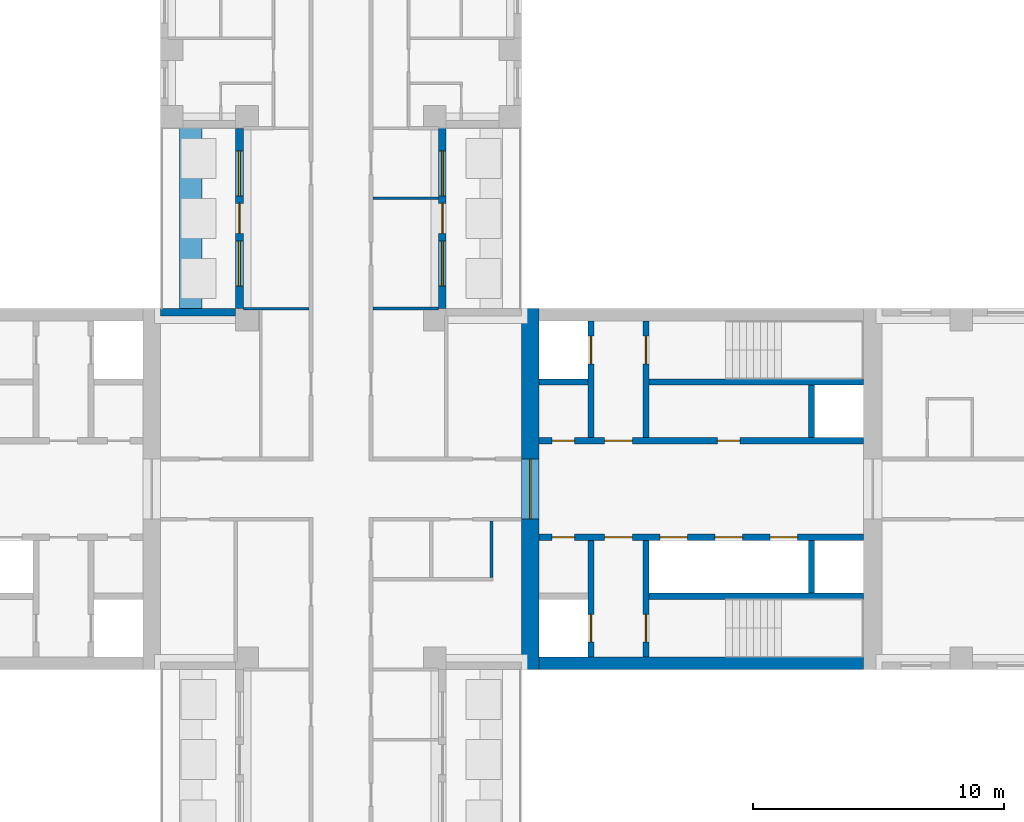
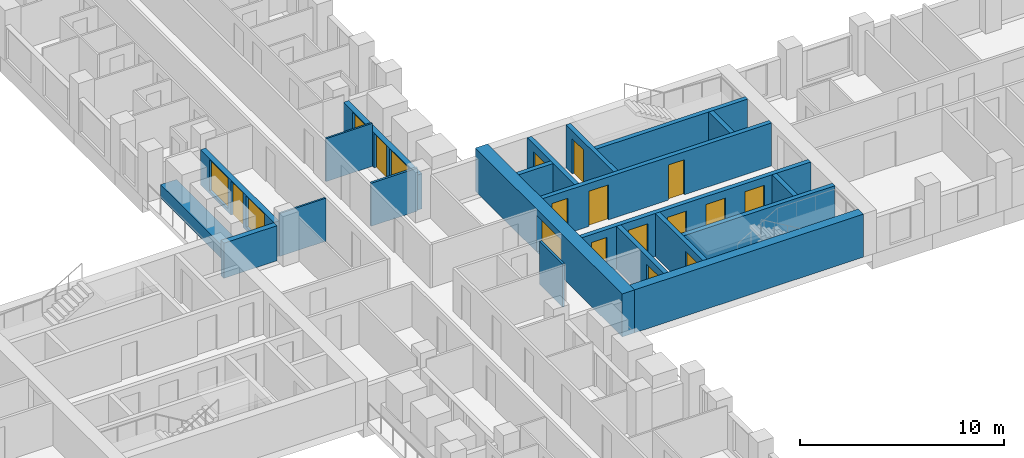
# One storey, part 8 of 15: 21 walls, 15 doors, 4 windows, 19 openings.
"""IFC4 building model written with IfcOpenShell, lengths in metres."""

from ifc_helpers import new_model, si_unit, direction, frame, frame_2d, origin, place, context, subcontext, project, spatial, rectangle, extrude, material, layer, layer_set, type_object, element, fill, save


model = new_model("IFC4")

# Units and contexts
model_context = context("Model", 3, precision=1e-05, world=origin(), true_north=direction((0.0, 1.0)))
body_context = subcontext(model_context, "Body", "Model", "MODEL_VIEW")
ifc_project = project(units=[si_unit("LENGTHUNIT", "METRE"), si_unit("AREAUNIT", "SQUARE_METRE"), si_unit("VOLUMEUNIT", "CUBIC_METRE"), si_unit("PLANEANGLEUNIT", "RADIAN"), si_unit("MASSUNIT", "GRAM", prefix="KILO")], contexts=[model_context])

# Site, building, storey
site_placement = place(None, origin())
site = spatial("IfcSite", under=ifc_project, at=site_placement, CompositionType="ELEMENT")
building_placement = place(site_placement, origin())
building = spatial("IfcBuilding", under=site, at=building_placement, Name="Fustian Cross Tower", CompositionType="ELEMENT")
storey_placement = place(building_placement, frame((0.0, 0.0, 17.699951171875)))
storey = spatial("IfcBuildingStorey", under=building, at=storey_placement, Name="L04", CompositionType="ELEMENT", Elevation=17.699951171875)

# Wall, opening, door
ifc_material_1 = material(Name="Concrete C80/95", Category="concrete")
ifc_layer_1 = layer(ifc_material_1, 0.699951171875)
ifc_layer_set_1 = layer_set([ifc_layer_1], Name="Concrete C80/95")
wall_type_1 = type_object("IfcWallType", Name="CORE END WALL 700 C80/95", PredefinedType="SHEAR", material=ifc_layer_set_1)
wall_1_placement = place(storey_placement, frame((7.550048828125, -7.199951171875, 0.0), z_axis=(0.0, 0.0, 1.0), x_axis=(0.0, 1.0, 0.0)))
wall_1 = element("IfcWall", 1, at=wall_1_placement, inside=storey, type_object=wall_type_1, Name="Core end wall", PredefinedType="SHEAR", context=body_context, shape_type="SweptSolid", body=[
    extrude(rectangle(XDim=14.39990234375, YDim=0.699951171875, at=frame_2d((7.199951171875, 0.0))), origin(), (0.0, 0.0, 1.0), 2.574951171875),
])
opening_1_placement = place(wall_1_placement, frame((6.0, 0.0, 0.0)))
opening_1 = element("IfcOpeningElement", 2, at=opening_1_placement, cuts=wall_1, Name="Opening CD-04-12", PredefinedType="OPENING", context=body_context, shape_type="SweptSolid", body=[
    extrude(rectangle(XDim=2.39990234375, YDim=2.199951171875, at=frame_2d((1.199951171875, 1.10009765625))), frame((0.0, 0.35986328125, 0.0), z_axis=(0.0, -1.0, 0.0), x_axis=(1.0, 0.0, 0.0)), (0.0, 0.0, 1.0), 0.719970703125),
])
ifc_material_2 = material(Name="Steel", Category="steel")
door_type_1 = type_object("IfcDoorType", Name="FIRE DOOR FD30S DOUBLE 2400X2200", OperationType="DOUBLE_DOOR_DOUBLE_SWING", PredefinedType="DOOR", material=ifc_material_2)
door_1_placement = place(opening_1_placement, frame((2.39990234375, 0.0, 0.0), z_axis=(0.0, 0.0, 1.0), x_axis=(-1.0, 0.0, 0.0)))
door_1 = element("IfcDoor", 3, at=door_1_placement, inside=storey, type_object=door_type_1, Name="Core door CD-04-12", OperationType="DOUBLE_DOOR_DOUBLE_SWING", OverallHeight=2.199951171875, OverallWidth=2.39990234375, PredefinedType="DOOR", context=body_context, shape_type="SweptSolid", body=[
    extrude(rectangle(XDim=2.39990234375, YDim=2.199951171875, at=frame_2d((1.199951171875, 1.10009765625))), frame((0.0, 0.02490234375, 0.0), z_axis=(0.0, -1.0, 0.0), x_axis=(1.0, 0.0, 0.0)), (0.0, 0.0, 1.0), 0.050048828125),
])
fill(opening_1, door_1)

# Wall
ifc_material_3 = material(Name="Concrete C80/95", Category="concrete")
ifc_layer_2 = layer(ifc_material_3, 0.5)
ifc_layer_set_2 = layer_set([ifc_layer_2], Name="Concrete C80/95")
wall_type_2 = type_object("IfcWallType", Name="CORE FACADE WALL 500 C80/95", PredefinedType="SHEAR", material=ifc_layer_set_2)
wall_2_placement = place(storey_placement, frame((7.89990234375, -6.949951171875, 0.0), z_axis=(0.0, 0.0, 1.0), x_axis=(1.0, 0.0, 0.0)))
element("IfcWall", 4, at=wall_2_placement, inside=storey, type_object=wall_type_2, Name="Core facade wall", PredefinedType="SHEAR", context=body_context, shape_type="SweptSolid", body=[
    extrude(rectangle(XDim=12.9501953125, YDim=0.5, at=frame_2d((6.47509765625, 0.0))), origin(), (0.0, 0.0, 1.0), 2.574951171875),
])

# Wall, openings, doors
ifc_material_4 = material(Name="Concrete C50/60", Category="concrete")
ifc_layer_3 = layer(ifc_material_4, 0.25)
ifc_layer_set_3 = layer_set([ifc_layer_3], Name="Concrete C50/60")
wall_type_3 = type_object("IfcWallType", Name="CORE LOBBY WALL 250 C50/60", PredefinedType="SHEAR", material=ifc_layer_set_3)
wall_3_placement = place(storey_placement, frame((7.89990234375, 1.925048828125, 0.0), z_axis=(0.0, 0.0, 1.0), x_axis=(1.0, 0.0, 0.0)))
wall_3 = element("IfcWall", 5, at=wall_3_placement, inside=storey, type_object=wall_type_3, Name="Core lobby wall", PredefinedType="SHEAR", context=body_context, shape_type="SweptSolid", body=[
    extrude(rectangle(XDim=12.9501953125, YDim=0.25, at=frame_2d((6.47509765625, 0.0))), origin(), (0.0, 0.0, 1.0), 2.574951171875),
])
opening_2_placement = place(wall_3_placement, frame((0.52490234375, 0.0, 0.0)))
opening_2 = element("IfcOpeningElement", 6, at=opening_2_placement, cuts=wall_3, Name="Opening CD-04-08", PredefinedType="OPENING", context=body_context, shape_type="SweptSolid", body=[
    extrude(rectangle(XDim=0.89990234375, YDim=2.10009765625, at=frame_2d((0.449951171875, 1.050048828125))), frame((0.0, 0.135009765625, 0.0), z_axis=(0.0, -1.0, 0.0), x_axis=(1.0, 0.0, 0.0)), (0.0, 0.0, 1.0), 0.27001953125),
])
opening_3_placement = place(wall_3_placement, frame((2.625, 0.0, 0.0)))
opening_3 = element("IfcOpeningElement", 7, at=opening_3_placement, cuts=wall_3, Name="Opening CD-04-10", PredefinedType="OPENING", context=body_context, shape_type="SweptSolid", body=[
    extrude(rectangle(XDim=1.10009765625, YDim=2.10009765625, at=frame_2d((0.550048828125, 1.050048828125))), frame((0.0, 0.135009765625, 0.0), z_axis=(0.0, -1.0, 0.0), x_axis=(1.0, 0.0, 0.0)), (0.0, 0.0, 1.0), 0.27001953125),
])
opening_4_placement = place(wall_3_placement, frame((7.125, 0.0, 0.0)))
opening_4 = element("IfcOpeningElement", 8, at=opening_4_placement, cuts=wall_3, Name="Opening CD-04-14", PredefinedType="OPENING", context=body_context, shape_type="SweptSolid", body=[
    extrude(rectangle(XDim=0.89990234375, YDim=2.10009765625, at=frame_2d((0.449951171875, 1.050048828125))), frame((0.0, 0.135009765625, 0.0), z_axis=(0.0, -1.0, 0.0), x_axis=(1.0, 0.0, 0.0)), (0.0, 0.0, 1.0), 0.27001953125),
])
ifc_material_5 = material(Name="Steel", Category="steel")
door_type_2 = type_object("IfcDoorType", Name="FIRE DOOR FD30S 900X2100", OperationType="SINGLE_SWING_LEFT", PredefinedType="DOOR", material=ifc_material_5)
door_2_placement = place(opening_4_placement, origin())
door_2 = element("IfcDoor", 9, at=door_2_placement, inside=storey, type_object=door_type_2, Name="Core door CD-04-14", OperationType="SINGLE_SWING_LEFT", OverallHeight=2.10009765625, OverallWidth=0.89990234375, PredefinedType="DOOR", context=body_context, shape_type="SweptSolid", body=[
    extrude(rectangle(XDim=0.89990234375, YDim=2.10009765625, at=frame_2d((0.449951171875, 1.050048828125))), frame((0.0, 0.02490234375, 0.0), z_axis=(0.0, -1.0, 0.0), x_axis=(1.0, 0.0, 0.0)), (0.0, 0.0, 1.0), 0.050048828125),
])
fill(opening_4, door_2)
ifc_material_6 = material(Name="Steel", Category="steel")
door_type_3 = type_object("IfcDoorType", Name="FIRE DOOR FD60S 1100X2100", OperationType="SINGLE_SWING_LEFT", PredefinedType="DOOR", material=ifc_material_6)
door_3_placement = place(opening_3_placement, frame((1.10009765625, 0.0, 0.0), z_axis=(0.0, 0.0, 1.0), x_axis=(-1.0, 0.0, 0.0)))
door_3 = element("IfcDoor", 10, at=door_3_placement, inside=storey, type_object=door_type_3, Name="Core door CD-04-10", OperationType="SINGLE_SWING_RIGHT", OverallHeight=2.10009765625, OverallWidth=1.10009765625, PredefinedType="DOOR", context=body_context, shape_type="SweptSolid", body=[
    extrude(rectangle(XDim=1.10009765625, YDim=2.10009765625, at=frame_2d((0.550048828125, 1.050048828125))), frame((0.0, 0.02490234375, 0.0), z_axis=(0.0, -1.0, 0.0), x_axis=(1.0, 0.0, 0.0)), (0.0, 0.0, 1.0), 0.050048828125),
])
fill(opening_3, door_3)
ifc_material_7 = material(Name="Steel", Category="steel")
door_type_4 = type_object("IfcDoorType", Name="FIRE DOOR FD60S 900X2100", OperationType="SINGLE_SWING_LEFT", PredefinedType="DOOR", material=ifc_material_7)
door_4_placement = place(opening_2_placement, origin())
door_4 = element("IfcDoor", 11, at=door_4_placement, inside=storey, type_object=door_type_4, Name="Core door CD-04-08", OperationType="SINGLE_SWING_LEFT", OverallHeight=2.10009765625, OverallWidth=0.89990234375, PredefinedType="DOOR", context=body_context, shape_type="SweptSolid", body=[
    extrude(rectangle(XDim=0.89990234375, YDim=2.10009765625, at=frame_2d((0.449951171875, 1.050048828125))), frame((0.0, 0.02490234375, 0.0), z_axis=(0.0, -1.0, 0.0), x_axis=(1.0, 0.0, 0.0)), (0.0, 0.0, 1.0), 0.050048828125),
])
fill(opening_2, door_4)

wall_4_placement = place(storey_placement, frame((7.89990234375, -1.925048828125, 0.0), z_axis=(0.0, 0.0, 1.0), x_axis=(1.0, 0.0, 0.0)))
wall_4 = element("IfcWall", 12, at=wall_4_placement, inside=storey, type_object=wall_type_3, Name="Core lobby wall", PredefinedType="SHEAR", context=body_context, shape_type="SweptSolid", body=[
    extrude(rectangle(XDim=12.9501953125, YDim=0.25, at=frame_2d((6.47509765625, 0.0))), origin(), (0.0, 0.0, 1.0), 2.574951171875),
])
opening_5_placement = place(wall_4_placement, frame((4.824951171875, 0.0, 0.0)))
opening_5 = element("IfcOpeningElement", 13, at=opening_5_placement, cuts=wall_4, Name="Opening LD", PredefinedType="OPENING", context=body_context, shape_type="SweptSolid", body=[
    extrude(rectangle(XDim=1.10009765625, YDim=2.10009765625, at=frame_2d((0.550048828125, 1.050048828125))), frame((0.0, 0.135009765625, 0.0), z_axis=(0.0, -1.0, 0.0), x_axis=(1.0, 0.0, 0.0)), (0.0, 0.0, 1.0), 0.27001953125),
])
opening_6_placement = place(wall_4_placement, frame((7.02490234375, 0.0, 0.0)))
opening_6 = element("IfcOpeningElement", 14, at=opening_6_placement, cuts=wall_4, Name="Opening LD", PredefinedType="OPENING", context=body_context, shape_type="SweptSolid", body=[
    extrude(rectangle(XDim=1.10009765625, YDim=2.10009765625, at=frame_2d((0.550048828125, 1.050048828125))), frame((0.0, 0.135009765625, 0.0), z_axis=(0.0, -1.0, 0.0), x_axis=(1.0, 0.0, 0.0)), (0.0, 0.0, 1.0), 0.27001953125),
])
opening_7_placement = place(wall_4_placement, frame((9.22509765625, 0.0, 0.0)))
opening_7 = element("IfcOpeningElement", 15, at=opening_7_placement, cuts=wall_4, Name="Opening LD", PredefinedType="OPENING", context=body_context, shape_type="SweptSolid", body=[
    extrude(rectangle(XDim=1.10009765625, YDim=2.10009765625, at=frame_2d((0.550048828125, 1.050048828125))), frame((0.0, 0.135009765625, 0.0), z_axis=(0.0, -1.0, 0.0), x_axis=(1.0, 0.0, 0.0)), (0.0, 0.0, 1.0), 0.27001953125),
])
opening_8_placement = place(wall_4_placement, frame((0.52490234375, 0.0, 0.0)))
opening_8 = element("IfcOpeningElement", 16, at=opening_8_placement, cuts=wall_4, Name="Opening CD-04-09", PredefinedType="OPENING", context=body_context, shape_type="SweptSolid", body=[
    extrude(rectangle(XDim=0.89990234375, YDim=2.10009765625, at=frame_2d((0.449951171875, 1.050048828125))), frame((0.0, 0.135009765625, 0.0), z_axis=(0.0, -1.0, 0.0), x_axis=(1.0, 0.0, 0.0)), (0.0, 0.0, 1.0), 0.27001953125),
])
opening_9_placement = place(wall_4_placement, frame((2.625, 0.0, 0.0)))
opening_9 = element("IfcOpeningElement", 17, at=opening_9_placement, cuts=wall_4, Name="Opening CD-04-11", PredefinedType="OPENING", context=body_context, shape_type="SweptSolid", body=[
    extrude(rectangle(XDim=1.10009765625, YDim=2.10009765625, at=frame_2d((0.550048828125, 1.050048828125))), frame((0.0, 0.135009765625, 0.0), z_axis=(0.0, -1.0, 0.0), x_axis=(1.0, 0.0, 0.0)), (0.0, 0.0, 1.0), 0.27001953125),
])
ifc_material_8 = material(Name="Steel", Category="steel")
door_type_5 = type_object("IfcDoorType", Name="FIRE DOOR FD30S 1100X2100", OperationType="SINGLE_SWING_LEFT", PredefinedType="DOOR", material=ifc_material_8)
door_5_placement = place(opening_9_placement, frame((1.10009765625, 0.0, 0.0), z_axis=(0.0, 0.0, 1.0), x_axis=(-1.0, 0.0, 0.0)))
door_5 = element("IfcDoor", 18, at=door_5_placement, inside=storey, type_object=door_type_5, Name="Core door CD-04-11", OperationType="SINGLE_SWING_RIGHT", OverallHeight=2.10009765625, OverallWidth=1.10009765625, PredefinedType="DOOR", context=body_context, shape_type="SweptSolid", body=[
    extrude(rectangle(XDim=1.10009765625, YDim=2.10009765625, at=frame_2d((0.550048828125, 1.050048828125))), frame((0.0, 0.02490234375, 0.0), z_axis=(0.0, -1.0, 0.0), x_axis=(1.0, 0.0, 0.0)), (0.0, 0.0, 1.0), 0.050048828125),
])
fill(opening_9, door_5)
door_6_placement = place(opening_8_placement, frame((0.89990234375, 0.0, 0.0), z_axis=(0.0, 0.0, 1.0), x_axis=(-1.0, 0.0, 0.0)))
door_6 = element("IfcDoor", 19, at=door_6_placement, inside=storey, type_object=door_type_2, Name="Core door CD-04-09", OperationType="SINGLE_SWING_RIGHT", OverallHeight=2.10009765625, OverallWidth=0.89990234375, PredefinedType="DOOR", context=body_context, shape_type="SweptSolid", body=[
    extrude(rectangle(XDim=0.89990234375, YDim=2.10009765625, at=frame_2d((0.449951171875, 1.050048828125))), frame((0.0, 0.02490234375, 0.0), z_axis=(0.0, -1.0, 0.0), x_axis=(1.0, 0.0, 0.0)), (0.0, 0.0, 1.0), 0.050048828125),
])
fill(opening_8, door_6)
ifc_material_9 = material(Name="Stainless steel", Category="steel")
door_type_6 = type_object("IfcDoorType", Name="LIFT LANDING DOOR 1100X2100", OperationType="SLIDING_TO_LEFT", PredefinedType="DOOR", material=ifc_material_9)
door_7_placement = place(opening_5_placement, origin())
door_7 = element("IfcDoor", 20, at=door_7_placement, inside=storey, type_object=door_type_6, Name="Landing door LR1", OperationType="SLIDING_TO_LEFT", OverallHeight=2.10009765625, OverallWidth=1.10009765625, PredefinedType="DOOR", context=body_context, shape_type="SweptSolid", body=[
    extrude(rectangle(XDim=1.10009765625, YDim=2.10009765625, at=frame_2d((0.550048828125, 1.050048828125))), frame((0.0, 0.02490234375, 0.0), z_axis=(0.0, -1.0, 0.0), x_axis=(1.0, 0.0, 0.0)), (0.0, 0.0, 1.0), 0.050048828125),
])
fill(opening_5, door_7)
door_8_placement = place(opening_6_placement, origin())
door_8 = element("IfcDoor", 21, at=door_8_placement, inside=storey, type_object=door_type_6, Name="Landing door LR2", OperationType="SLIDING_TO_LEFT", OverallHeight=2.10009765625, OverallWidth=1.10009765625, PredefinedType="DOOR", context=body_context, shape_type="SweptSolid", body=[
    extrude(rectangle(XDim=1.10009765625, YDim=2.10009765625, at=frame_2d((0.550048828125, 1.050048828125))), frame((0.0, 0.02490234375, 0.0), z_axis=(0.0, -1.0, 0.0), x_axis=(1.0, 0.0, 0.0)), (0.0, 0.0, 1.0), 0.050048828125),
])
fill(opening_6, door_8)
door_9_placement = place(opening_7_placement, origin())
door_9 = element("IfcDoor", 22, at=door_9_placement, inside=storey, type_object=door_type_6, Name="Landing door LR3", OperationType="SLIDING_TO_LEFT", OverallHeight=2.10009765625, OverallWidth=1.10009765625, PredefinedType="DOOR", context=body_context, shape_type="SweptSolid", body=[
    extrude(rectangle(XDim=1.10009765625, YDim=2.10009765625, at=frame_2d((0.550048828125, 1.050048828125))), frame((0.0, 0.02490234375, 0.0), z_axis=(0.0, -1.0, 0.0), x_axis=(1.0, 0.0, 0.0)), (0.0, 0.0, 1.0), 0.050048828125),
])
fill(opening_7, door_9)

# Walls
ifc_material_10 = material(Name="Concrete C50/60", Category="concrete")
ifc_layer_4 = layer(ifc_material_10, 0.25)
ifc_layer_set_4 = layer_set([ifc_layer_4], Name="Concrete C50/60")
wall_type_4 = type_object("IfcWallType", Name="CORE SHAFT WALL 250 C50/60", PredefinedType="SHEAR", material=ifc_layer_set_4)
wall_5_placement = place(storey_placement, frame((7.89990234375, 4.27490234375, 0.0), z_axis=(0.0, 0.0, 1.0), x_axis=(1.0, 0.0, 0.0)))
element("IfcWall", 23, at=wall_5_placement, inside=storey, type_object=wall_type_4, Name="Core shaft wall", PredefinedType="SHEAR", context=body_context, shape_type="SweptSolid", body=[
    extrude(rectangle(XDim=1.9501953125, YDim=0.25, at=frame_2d((0.97509765625, 0.0))), origin(), (0.0, 0.0, 1.0), 2.574951171875),
])
wall_6_placement = place(storey_placement, frame((12.300048828125, 4.27490234375, 0.0), z_axis=(0.0, 0.0, 1.0), x_axis=(1.0, 0.0, 0.0)))
element("IfcWall", 24, at=wall_6_placement, inside=storey, type_object=wall_type_4, Name="Core shaft wall", PredefinedType="SHEAR", context=body_context, shape_type="SweptSolid", body=[
    extrude(rectangle(XDim=8.550048828125, YDim=0.25, at=frame_2d((4.27490234375, 0.0))), origin(), (0.0, 0.0, 1.0), 2.574951171875),
])

# Wall, opening, door
wall_7_placement = place(storey_placement, frame((9.97509765625, 2.050048828125, 0.0), z_axis=(0.0, 0.0, 1.0), x_axis=(0.0, 1.0, 0.0)))
wall_7 = element("IfcWall", 25, at=wall_7_placement, inside=storey, type_object=wall_type_4, Name="Core shaft wall", PredefinedType="SHEAR", context=body_context, shape_type="SweptSolid", body=[
    extrude(rectangle(XDim=4.64990234375, YDim=0.25, at=frame_2d((2.324951171875, 0.0))), origin(), (0.0, 0.0, 1.0), 2.574951171875),
])
opening_10_placement = place(wall_7_placement, frame((2.949951171875, 0.0, 0.0)))
opening_10 = element("IfcOpeningElement", 26, at=opening_10_placement, cuts=wall_7, Name="Opening LD", PredefinedType="OPENING", context=body_context, shape_type="SweptSolid", body=[
    extrude(rectangle(XDim=1.10009765625, YDim=2.10009765625, at=frame_2d((0.550048828125, 1.050048828125))), frame((0.0, 0.135009765625, 0.0), z_axis=(0.0, -1.0, 0.0), x_axis=(1.0, 0.0, 0.0)), (0.0, 0.0, 1.0), 0.27001953125),
])
door_10_placement = place(opening_10_placement, origin())
door_10 = element("IfcDoor", 27, at=door_10_placement, inside=storey, type_object=door_type_6, Name="Landing door FL1", OperationType="SLIDING_TO_LEFT", OverallHeight=2.10009765625, OverallWidth=1.10009765625, PredefinedType="DOOR", context=body_context, shape_type="SweptSolid", body=[
    extrude(rectangle(XDim=1.10009765625, YDim=2.10009765625, at=frame_2d((0.550048828125, 1.050048828125))), frame((0.0, 0.02490234375, 0.0), z_axis=(0.0, -1.0, 0.0), x_axis=(1.0, 0.0, 0.0)), (0.0, 0.0, 1.0), 0.050048828125),
])
fill(opening_10, door_10)

wall_8_placement = place(storey_placement, frame((12.175048828125, 2.050048828125, 0.0), z_axis=(0.0, 0.0, 1.0), x_axis=(0.0, 1.0, 0.0)))
wall_8 = element("IfcWall", 28, at=wall_8_placement, inside=storey, type_object=wall_type_4, Name="Core shaft wall", PredefinedType="SHEAR", context=body_context, shape_type="SweptSolid", body=[
    extrude(rectangle(XDim=4.64990234375, YDim=0.25, at=frame_2d((2.324951171875, 0.0))), origin(), (0.0, 0.0, 1.0), 2.574951171875),
])
opening_11_placement = place(wall_8_placement, frame((2.949951171875, 0.0, 0.0)))
opening_11 = element("IfcOpeningElement", 29, at=opening_11_placement, cuts=wall_8, Name="Opening CD-04-06", PredefinedType="OPENING", context=body_context, shape_type="SweptSolid", body=[
    extrude(rectangle(XDim=1.10009765625, YDim=2.10009765625, at=frame_2d((0.550048828125, 1.050048828125))), frame((0.0, 0.135009765625, 0.0), z_axis=(0.0, -1.0, 0.0), x_axis=(1.0, 0.0, 0.0)), (0.0, 0.0, 1.0), 0.27001953125),
])
door_11_placement = place(opening_11_placement, frame((1.10009765625, 0.0, 0.0), z_axis=(0.0, 0.0, 1.0), x_axis=(-1.0, 0.0, 0.0)))
door_11 = element("IfcDoor", 30, at=door_11_placement, inside=storey, type_object=door_type_3, Name="Core door CD-04-06", OperationType="SINGLE_SWING_RIGHT", OverallHeight=2.10009765625, OverallWidth=1.10009765625, PredefinedType="DOOR", context=body_context, shape_type="SweptSolid", body=[
    extrude(rectangle(XDim=1.10009765625, YDim=2.10009765625, at=frame_2d((0.550048828125, 1.050048828125))), frame((0.0, 0.02490234375, 0.0), z_axis=(0.0, -1.0, 0.0), x_axis=(1.0, 0.0, 0.0)), (0.0, 0.0, 1.0), 0.050048828125),
])
fill(opening_11, door_11)

# Wall
wall_9_placement = place(storey_placement, frame((12.300048828125, -4.27490234375, 0.0), z_axis=(0.0, 0.0, 1.0), x_axis=(1.0, 0.0, 0.0)))
element("IfcWall", 31, at=wall_9_placement, inside=storey, type_object=wall_type_4, Name="Core shaft wall", PredefinedType="SHEAR", context=body_context, shape_type="SweptSolid", body=[
    extrude(rectangle(XDim=8.550048828125, YDim=0.25, at=frame_2d((4.27490234375, 0.0))), origin(), (0.0, 0.0, 1.0), 2.574951171875),
])

# Wall, opening, door
wall_10_placement = place(storey_placement, frame((9.97509765625, -2.050048828125, 0.0), z_axis=(0.0, 0.0, 1.0), x_axis=(0.0, -1.0, 0.0)))
wall_10 = element("IfcWall", 32, at=wall_10_placement, inside=storey, type_object=wall_type_4, Name="Core shaft wall", PredefinedType="SHEAR", context=body_context, shape_type="SweptSolid", body=[
    extrude(rectangle(XDim=4.64990234375, YDim=0.25, at=frame_2d((2.324951171875, 0.0))), origin(), (0.0, 0.0, 1.0), 2.574951171875),
])
opening_12_placement = place(wall_10_placement, frame((2.949951171875, 0.0, 0.0)))
opening_12 = element("IfcOpeningElement", 33, at=opening_12_placement, cuts=wall_10, Name="Opening LD", PredefinedType="OPENING", context=body_context, shape_type="SweptSolid", body=[
    extrude(rectangle(XDim=1.10009765625, YDim=2.10009765625, at=frame_2d((0.550048828125, 1.050048828125))), frame((0.0, 0.135009765625, 0.0), z_axis=(0.0, -1.0, 0.0), x_axis=(1.0, 0.0, 0.0)), (0.0, 0.0, 1.0), 0.27001953125),
])
door_12_placement = place(opening_12_placement, origin())
door_12 = element("IfcDoor", 34, at=door_12_placement, inside=storey, type_object=door_type_6, Name="Landing door SV1", OperationType="SLIDING_TO_LEFT", OverallHeight=2.10009765625, OverallWidth=1.10009765625, PredefinedType="DOOR", context=body_context, shape_type="SweptSolid", body=[
    extrude(rectangle(XDim=1.10009765625, YDim=2.10009765625, at=frame_2d((0.550048828125, 1.050048828125))), frame((0.0, 0.02490234375, 0.0), z_axis=(0.0, -1.0, 0.0), x_axis=(1.0, 0.0, 0.0)), (0.0, 0.0, 1.0), 0.050048828125),
])
fill(opening_12, door_12)

wall_11_placement = place(storey_placement, frame((12.175048828125, -2.050048828125, 0.0), z_axis=(0.0, 0.0, 1.0), x_axis=(0.0, -1.0, 0.0)))
wall_11 = element("IfcWall", 35, at=wall_11_placement, inside=storey, type_object=wall_type_4, Name="Core shaft wall", PredefinedType="SHEAR", context=body_context, shape_type="SweptSolid", body=[
    extrude(rectangle(XDim=4.64990234375, YDim=0.25, at=frame_2d((2.324951171875, 0.0))), origin(), (0.0, 0.0, 1.0), 2.574951171875),
])
opening_13_placement = place(wall_11_placement, frame((2.949951171875, 0.0, 0.0)))
opening_13 = element("IfcOpeningElement", 36, at=opening_13_placement, cuts=wall_11, Name="Opening CD-04-07", PredefinedType="OPENING", context=body_context, shape_type="SweptSolid", body=[
    extrude(rectangle(XDim=1.10009765625, YDim=2.10009765625, at=frame_2d((0.550048828125, 1.050048828125))), frame((0.0, 0.135009765625, 0.0), z_axis=(0.0, -1.0, 0.0), x_axis=(1.0, 0.0, 0.0)), (0.0, 0.0, 1.0), 0.27001953125),
])
door_13_placement = place(opening_13_placement, origin())
door_13 = element("IfcDoor", 37, at=door_13_placement, inside=storey, type_object=door_type_3, Name="Core door CD-04-07", OperationType="SINGLE_SWING_LEFT", OverallHeight=2.10009765625, OverallWidth=1.10009765625, PredefinedType="DOOR", context=body_context, shape_type="SweptSolid", body=[
    extrude(rectangle(XDim=1.10009765625, YDim=2.10009765625, at=frame_2d((0.550048828125, 1.050048828125))), frame((0.0, 0.02490234375, 0.0), z_axis=(0.0, -1.0, 0.0), x_axis=(1.0, 0.0, 0.0)), (0.0, 0.0, 1.0), 0.050048828125),
])
fill(opening_13, door_13)

# Walls
ifc_material_11 = material(Name="Plasterboard on steel stud", Category="steel")
ifc_layer_5 = layer(ifc_material_11, 0.10009765625)
ifc_layer_set_5 = layer_set([ifc_layer_5], Name="Plasterboard on steel stud")
wall_type_5 = type_object("IfcWallType", Name="PARTITION 100 STUD", PredefinedType="PARTITIONING", material=ifc_layer_set_5)
for number, where, z_axis, x_axis, name in (
    (38, (-3.89990234375, 7.199951171875, 0.0), (0.0, 0.0, 1.0), (1.0, 0.0, 0.0), "Partition 47"),
    (39, (1.27490234375, 11.60009765625, 0.0), (0.0, 0.0, 1.0), (1.0, 0.0, 0.0), "Partition 67"),
):
    element("IfcWall", number, at=place(storey_placement, frame(where, z_axis=z_axis, x_axis=x_axis)), inside=storey, type_object=wall_type_5, Name=name, PredefinedType="PARTITIONING", context=body_context, shape_type="SweptSolid", body=[
        extrude(rectangle(XDim=2.625, YDim=0.10009765625, at=frame_2d((1.3125, 0.0))), origin(), (0.0, 0.0, 1.0), 2.574951171875),
    ])
ifc_material_12 = material(Name="Concrete C40/50", Category="concrete")
ifc_layer_6 = layer(ifc_material_12, 0.89990234375)
ifc_layer_set_6 = layer_set([ifc_layer_6], Name="Concrete C40/50")
wall_type_6 = type_object("IfcWallType", Name="PK1 PLANTER 900", PredefinedType="PARAPET", material=ifc_layer_set_6)
wall_12_placement = place(storey_placement, frame((-6.0, 7.199951171875, 0.0), z_axis=(0.0, 0.0, 1.0), x_axis=(0.0, 1.0, 0.0)))
element("IfcWall", 40, at=wall_12_placement, inside=storey, type_object=wall_type_6, Name="PLANTER", PredefinedType="PARAPET", context=body_context, shape_type="SweptSolid", body=[
    extrude(rectangle(XDim=7.199951171875, YDim=0.89990234375, at=frame_2d((3.60009765625, 0.0))), origin(), (0.0, 0.0, 1.0), 0.800048828125),
])
ifc_material_13 = material(Name="Concrete C40/50", Category="concrete")
ifc_layer_7 = layer(ifc_material_13, 0.25)
ifc_layer_set_7 = layer_set([ifc_layer_7], Name="Concrete C40/50")
wall_type_7 = type_object("IfcWallType", Name="SHAFT PARTITION WALL 250 C40/50", PredefinedType="PARTITIONING", material=ifc_layer_set_7)
for number, where, z_axis, x_axis, name in (
    (41, (18.77490234375, 2.050048828125, 0.0), (0.0, 0.0, 1.0), (0.0, 1.0, 0.0), "Core shaft wall"),
    (42, (18.77490234375, -2.050048828125, 0.0), (0.0, 0.0, 1.0), (0.0, -1.0, 0.0), "Core shaft wall"),
):
    element("IfcWall", number, at=place(storey_placement, frame(where, z_axis=z_axis, x_axis=x_axis)), inside=storey, type_object=wall_type_7, Name=name, PredefinedType="PARTITIONING", context=body_context, shape_type="SweptSolid", body=[
        extrude(rectangle(XDim=2.099853515625, YDim=0.25, at=frame_2d((1.0498046875, 0.0))), origin(), (0.0, 0.0, 1.0), 2.574951171875),
    ])
ifc_material_14 = material(Name="Plasterboard on steel stud", Category="steel")
ifc_layer_8 = layer(ifc_material_14, 0.125)
ifc_layer_set_8 = layer_set([ifc_layer_8], Name="Plasterboard on steel stud")
wall_type_8 = type_object("IfcWallType", Name="WET WALL 125 STUD", PredefinedType="PARTITIONING", material=ifc_layer_set_8)
wall_13_placement = place(storey_placement, frame((1.27490234375, 7.199951171875, 0.0), z_axis=(0.0, 0.0, 1.0), x_axis=(1.0, 0.0, 0.0)))
element("IfcWall", 43, at=wall_13_placement, inside=storey, type_object=wall_type_8, Name="Partition 66", PredefinedType="PARTITIONING", context=body_context, shape_type="SweptSolid", body=[
    extrude(rectangle(XDim=2.625, YDim=0.125, at=frame_2d((1.3125, 0.0))), origin(), (0.0, 0.0, 1.0), 2.574951171875),
])
wall_14_placement = place(storey_placement, frame((6.0, -3.53759765625, 0.0), z_axis=(0.0, 0.0, 1.0), x_axis=(0.0, 1.0, 0.0)))
element("IfcWall", 44, at=wall_14_placement, inside=storey, type_object=wall_type_8, Name="Partition 98", PredefinedType="PARTITIONING", context=body_context, shape_type="SweptSolid", body=[
    extrude(rectangle(XDim=2.2626953125, YDim=0.125, at=frame_2d((1.13134765625, 0.0))), origin(), (0.0, 0.0, 1.0), 2.574951171875),
])

# Wall, openings, door, windows
ifc_material_15 = material(Name="Dark aluminium cladding on insulated backing wall", Category="aluminium")
ifc_layer_9 = layer(ifc_material_15, 0.300048828125)
ifc_layer_set_9 = layer_set([ifc_layer_9], Name="Dark aluminium cladding on insulated backing wall")
wall_type_9 = type_object("IfcWallType", Name="XW1 EXTERNAL WALL 300", PredefinedType="SOLIDWALL", material=ifc_layer_set_9)
wall_15_placement = place(storey_placement, frame((4.050048828125, 7.199951171875, 0.0), z_axis=(0.0, 0.0, 1.0), x_axis=(0.0, 1.0, 0.0)))
wall_15 = element("IfcWall", 45, at=wall_15_placement, inside=storey, type_object=wall_type_9, Name="External wall", PredefinedType="SOLIDWALL", context=body_context, shape_type="SweptSolid", body=[
    extrude(rectangle(XDim=7.199951171875, YDim=0.300048828125, at=frame_2d((3.60009765625, 0.0))), origin(), (0.0, 0.0, 1.0), 2.10009765625),
])
opening_14_placement = place(wall_15_placement, frame((3.0, 0.0, 0.0)))
opening_14 = element("IfcOpeningElement", 46, at=opening_14_placement, cuts=wall_15, Name="Opening XD1", PredefinedType="OPENING", context=body_context, shape_type="SweptSolid", body=[
    extrude(rectangle(XDim=1.199951171875, YDim=2.050048828125, at=frame_2d((0.60009765625, 1.02490234375))), frame((0.0, 0.159912109375, 0.0), z_axis=(0.0, -1.0, 0.0), x_axis=(1.0, 0.0, 0.0)), (0.0, 0.0, 1.0), 0.320068359375),
])
opening_15_placement = place(wall_15_placement, frame((0.89990234375, 0.0, 0.199951171875)))
opening_15 = element("IfcOpeningElement", 47, at=opening_15_placement, cuts=wall_15, Name="Opening WN2", PredefinedType="OPENING", context=body_context, shape_type="SweptSolid", body=[
    extrude(rectangle(XDim=1.800048828125, YDim=1.85009765625, at=frame_2d((0.89990234375, 0.925048828125))), frame((0.0, 0.159912109375, 0.0), z_axis=(0.0, -1.0, 0.0), x_axis=(1.0, 0.0, 0.0)), (0.0, 0.0, 1.0), 0.320068359375),
])
opening_16_placement = place(wall_15_placement, frame((4.5, 0.0, 0.199951171875)))
opening_16 = element("IfcOpeningElement", 48, at=opening_16_placement, cuts=wall_15, Name="Opening WN2", PredefinedType="OPENING", context=body_context, shape_type="SweptSolid", body=[
    extrude(rectangle(XDim=1.800048828125, YDim=1.85009765625, at=frame_2d((0.89990234375, 0.925048828125))), frame((0.0, 0.159912109375, 0.0), z_axis=(0.0, -1.0, 0.0), x_axis=(1.0, 0.0, 0.0)), (0.0, 0.0, 1.0), 0.320068359375),
])
ifc_material_16 = material(Name="Dark anodised aluminium and double glazing", Category="aluminium")
door_type_7 = type_object("IfcDoorType", Name="ED1 BALCONY DOOR 1200X2050", OperationType="SINGLE_SWING_LEFT", PredefinedType="DOOR", material=ifc_material_16)
door_14_placement = place(opening_14_placement, origin())
door_14 = element("IfcDoor", 49, at=door_14_placement, inside=storey, type_object=door_type_7, Name="Balcony door", OperationType="SINGLE_SWING_LEFT", OverallHeight=2.050048828125, OverallWidth=1.199951171875, PredefinedType="DOOR", context=body_context, shape_type="SweptSolid", body=[
    extrude(rectangle(XDim=1.199951171875, YDim=2.050048828125, at=frame_2d((0.60009765625, 1.02490234375))), frame((0.0, 0.02490234375, 0.0), z_axis=(0.0, -1.0, 0.0), x_axis=(1.0, 0.0, 0.0)), (0.0, 0.0, 1.0), 0.050048828125),
])
fill(opening_14, door_14)
ifc_material_17 = material(Name="Dark anodised aluminium and double glazing", Category="aluminium")
window_type = type_object("IfcWindowType", Name="WN2 WINDOW 1800X1850", PartitioningType="SINGLE_PANEL", PredefinedType="WINDOW", material=ifc_material_17)
window_1_placement = place(opening_15_placement, origin())
window_1 = element("IfcWindow", 50, at=window_1_placement, inside=storey, type_object=window_type, Name="Window", OverallHeight=1.85009765625, OverallWidth=1.800048828125, PartitioningType="SINGLE_PANEL", PredefinedType="WINDOW", context=body_context, shape_type="SweptSolid", body=[
    extrude(rectangle(XDim=1.800048828125, YDim=1.85009765625, at=frame_2d((0.89990234375, 0.925048828125))), frame((0.0, 0.030029296875, 0.0), z_axis=(0.0, -1.0, 0.0), x_axis=(1.0, 0.0, 0.0)), (0.0, 0.0, 1.0), 0.06005859375),
])
fill(opening_15, window_1)
window_2_placement = place(opening_16_placement, origin())
window_2 = element("IfcWindow", 51, at=window_2_placement, inside=storey, type_object=window_type, Name="Window", OverallHeight=1.85009765625, OverallWidth=1.800048828125, PartitioningType="SINGLE_PANEL", PredefinedType="WINDOW", context=body_context, shape_type="SweptSolid", body=[
    extrude(rectangle(XDim=1.800048828125, YDim=1.85009765625, at=frame_2d((0.89990234375, 0.925048828125))), frame((0.0, 0.030029296875, 0.0), z_axis=(0.0, -1.0, 0.0), x_axis=(1.0, 0.0, 0.0)), (0.0, 0.0, 1.0), 0.06005859375),
])
fill(opening_16, window_2)

wall_16_placement = place(storey_placement, frame((-4.050048828125, 14.39990234375, 0.0), z_axis=(0.0, 0.0, 1.0), x_axis=(0.0, -1.0, 0.0)))
wall_16 = element("IfcWall", 52, at=wall_16_placement, inside=storey, type_object=wall_type_9, Name="External wall", PredefinedType="SOLIDWALL", context=body_context, shape_type="SweptSolid", body=[
    extrude(rectangle(XDim=7.199951171875, YDim=0.300048828125, at=frame_2d((3.60009765625, 0.0))), origin(), (0.0, 0.0, 1.0), 2.10009765625),
])
opening_17_placement = place(wall_16_placement, frame((3.0, 0.0, 0.0)))
opening_17 = element("IfcOpeningElement", 53, at=opening_17_placement, cuts=wall_16, Name="Opening XD2", PredefinedType="OPENING", context=body_context, shape_type="SweptSolid", body=[
    extrude(rectangle(XDim=1.199951171875, YDim=2.050048828125, at=frame_2d((0.60009765625, 1.02490234375))), frame((0.0, 0.159912109375, 0.0), z_axis=(0.0, -1.0, 0.0), x_axis=(1.0, 0.0, 0.0)), (0.0, 0.0, 1.0), 0.320068359375),
])
opening_18_placement = place(wall_16_placement, frame((0.89990234375, 0.0, 0.199951171875)))
opening_18 = element("IfcOpeningElement", 54, at=opening_18_placement, cuts=wall_16, Name="Opening WN2", PredefinedType="OPENING", context=body_context, shape_type="SweptSolid", body=[
    extrude(rectangle(XDim=1.800048828125, YDim=1.85009765625, at=frame_2d((0.89990234375, 0.925048828125))), frame((0.0, 0.159912109375, 0.0), z_axis=(0.0, -1.0, 0.0), x_axis=(1.0, 0.0, 0.0)), (0.0, 0.0, 1.0), 0.320068359375),
])
opening_19_placement = place(wall_16_placement, frame((4.5, 0.0, 0.199951171875)))
opening_19 = element("IfcOpeningElement", 55, at=opening_19_placement, cuts=wall_16, Name="Opening WN2", PredefinedType="OPENING", context=body_context, shape_type="SweptSolid", body=[
    extrude(rectangle(XDim=1.800048828125, YDim=1.85009765625, at=frame_2d((0.89990234375, 0.925048828125))), frame((0.0, 0.159912109375, 0.0), z_axis=(0.0, -1.0, 0.0), x_axis=(1.0, 0.0, 0.0)), (0.0, 0.0, 1.0), 0.320068359375),
])
door_15_placement = place(opening_17_placement, origin())
door_15 = element("IfcDoor", 56, at=door_15_placement, inside=storey, type_object=door_type_7, Name="Balcony door", OperationType="SINGLE_SWING_LEFT", OverallHeight=2.050048828125, OverallWidth=1.199951171875, PredefinedType="DOOR", context=body_context, shape_type="SweptSolid", body=[
    extrude(rectangle(XDim=1.199951171875, YDim=2.050048828125, at=frame_2d((0.60009765625, 1.02490234375))), frame((0.0, 0.02490234375, 0.0), z_axis=(0.0, -1.0, 0.0), x_axis=(1.0, 0.0, 0.0)), (0.0, 0.0, 1.0), 0.050048828125),
])
fill(opening_17, door_15)
window_3_placement = place(opening_18_placement, origin())
window_3 = element("IfcWindow", 57, at=window_3_placement, inside=storey, type_object=window_type, Name="Window", OverallHeight=1.85009765625, OverallWidth=1.800048828125, PartitioningType="SINGLE_PANEL", PredefinedType="WINDOW", context=body_context, shape_type="SweptSolid", body=[
    extrude(rectangle(XDim=1.800048828125, YDim=1.85009765625, at=frame_2d((0.89990234375, 0.925048828125))), frame((0.0, 0.030029296875, 0.0), z_axis=(0.0, -1.0, 0.0), x_axis=(1.0, 0.0, 0.0)), (0.0, 0.0, 1.0), 0.06005859375),
])
fill(opening_18, window_3)
window_4_placement = place(opening_19_placement, origin())
window_4 = element("IfcWindow", 58, at=window_4_placement, inside=storey, type_object=window_type, Name="Window", OverallHeight=1.85009765625, OverallWidth=1.800048828125, PartitioningType="SINGLE_PANEL", PredefinedType="WINDOW", context=body_context, shape_type="SweptSolid", body=[
    extrude(rectangle(XDim=1.800048828125, YDim=1.85009765625, at=frame_2d((0.89990234375, 0.925048828125))), frame((0.0, 0.030029296875, 0.0), z_axis=(0.0, -1.0, 0.0), x_axis=(1.0, 0.0, 0.0)), (0.0, 0.0, 1.0), 0.06005859375),
])
fill(opening_19, window_4)

# Wall
wall_17_placement = place(storey_placement, frame((-4.199951171875, 7.050048828125, 0.0), z_axis=(0.0, 0.0, 1.0), x_axis=(-1.0, 0.0, 0.0)))
element("IfcWall", 59, at=wall_17_placement, inside=storey, type_object=wall_type_9, Name="External wall", PredefinedType="SOLIDWALL", context=body_context, shape_type="SweptSolid", body=[
    extrude(rectangle(XDim=3.0, YDim=0.300048828125, at=frame_2d((1.5, 0.0))), origin(), (0.0, 0.0, 1.0), 2.10009765625),
])

save(model, "model.ifc")
